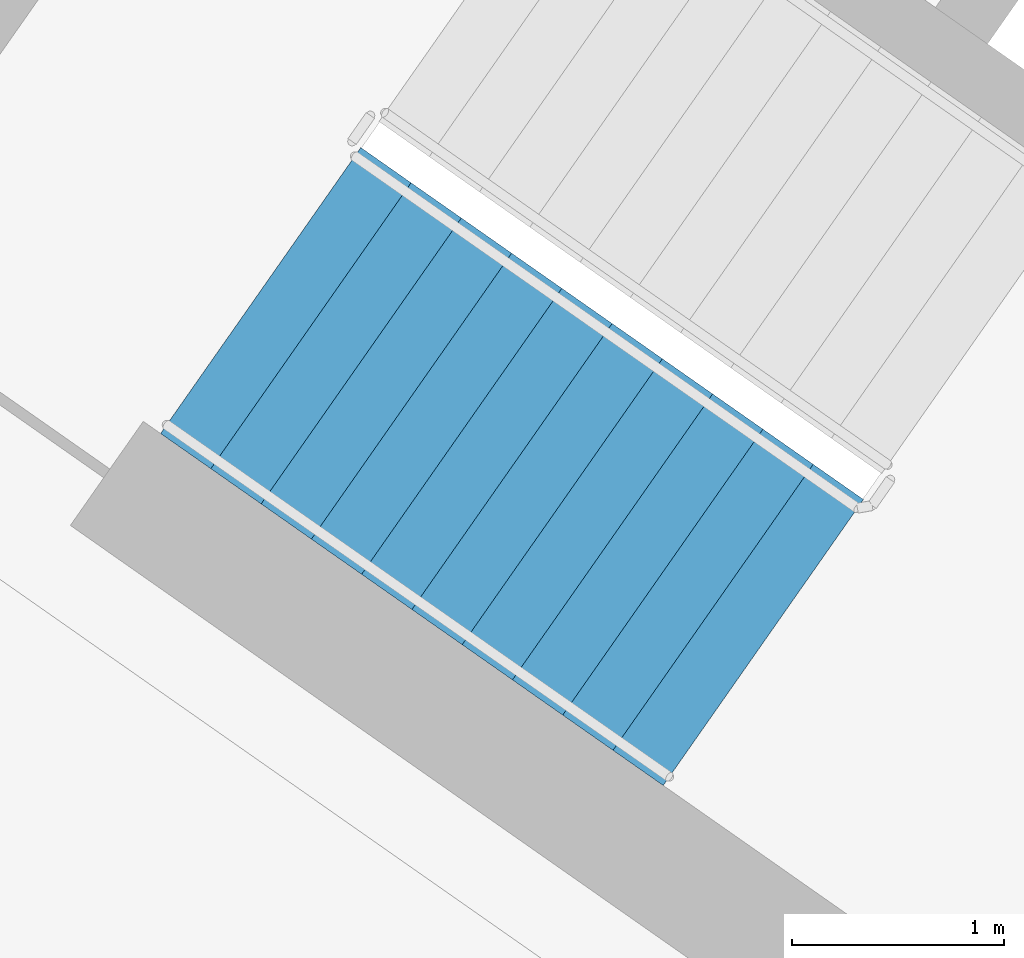
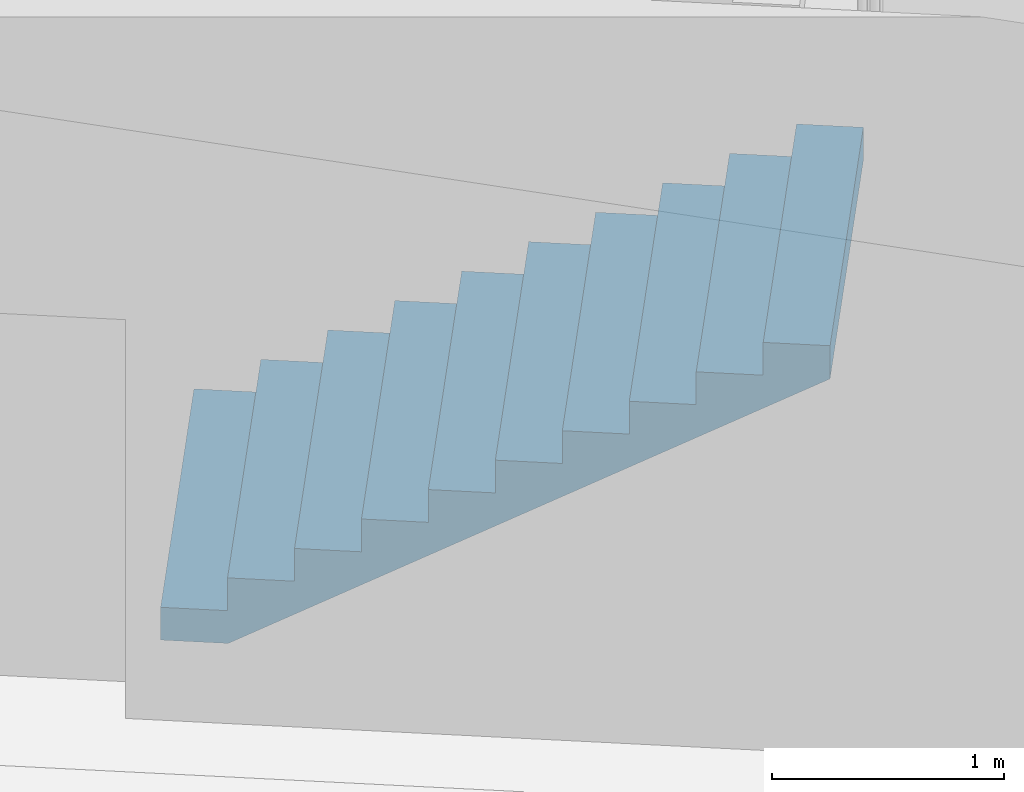
# One storey, part 9 of 26: 1 stair flight, 1 element without a shape of its own.
"""IFC4 building model written with IfcOpenShell, lengths in metres."""

import ifcopenshell
import ifcopenshell.guid

model = None  # the IFC model being written
_history = None  # IfcOwnerHistory: only IFC2X3 demands one
_inside = {}  # id of a spatial element -> (the spatial element, [elements in it])
_under = {}  # id of a project, library or spatial element -> (it, [spatial elements below it])
_declared = {}  # id of a project -> (the project, [libraries it declares])
_typed = {}  # id of a type object -> (the type object, [elements of that type])
_made_of = {}  # id of a material, layer set ... -> (it, [elements and type objects made of it])


def new_model(schema):
    """Start an empty IFC model of exactly this schema.

    Asked for "IFC4X3", IfcOpenShell would pick the latest addendum, in which some entities
    have other attributes; the version numbers below select the first issue.
    IFC2X3 requires an IfcOwnerHistory on every rooted entity: one is made here for all.
    """
    global model, _history
    if schema == "IFC4X3":
        model = ifcopenshell.file(schema_version=(4, 3, 0, 0))
    else:
        model = ifcopenshell.file(schema=schema)
    _inside.clear()
    _under.clear()
    _declared.clear()
    _typed.clear()
    _made_of.clear()
    _history = None
    if model.schema == "IFC2X3":
        org = make("IfcOrganization", Name="unknown")
        user = make(
            "IfcPersonAndOrganization",
            ThePerson=make("IfcPerson", FamilyName="unknown"),
            TheOrganization=org,
        )
        app = make(
            "IfcApplication",
            ApplicationDeveloper=org,
            Version="unknown",
            ApplicationFullName="unknown",
            ApplicationIdentifier="unknown",
        )
        _history = make(
            "IfcOwnerHistory",
            OwningUser=user,
            OwningApplication=app,
            ChangeAction="ADDED",
            CreationDate=0,
        )
    return model


def make(cls, **values):
    """One entity of the class cls with the attributes given. An attribute that is None is left unset."""
    return model.create_entity(
        cls, **{name: value for name, value in values.items() if value is not None}
    )


def rooted(cls, **values):
    """An entity with a GlobalId (a new one), such as an element, a storey or a relation."""
    return make(cls, GlobalId=ifcopenshell.guid.new(), OwnerHistory=_history, **values)


def si_unit(unit_type, name, prefix=None):
    """IfcSIUnit, for example si_unit("LENGTHUNIT", "METRE", prefix="MILLI")."""
    return make("IfcSIUnit", UnitType=unit_type, Prefix=prefix, Name=name)


def assignment(units):
    """IfcUnitAssignment: the units of a project."""
    return None if units is None else make("IfcUnitAssignment", Units=units)


def point(xyz):
    """IfcCartesianPoint."""
    return None if xyz is None else make("IfcCartesianPoint", Coordinates=xyz)


def direction(xyz):
    """IfcDirection."""
    return None if xyz is None else make("IfcDirection", DirectionRatios=xyz)


def frame(location, z_axis=None, x_axis=None):
    """IfcAxis2Placement3D, a coordinate frame: its origin and axes. An axis left out is left unset."""
    return make(
        "IfcAxis2Placement3D",
        Location=point(location),
        Axis=direction(z_axis),
        RefDirection=direction(x_axis),
    )


def origin():
    """The frame at (0, 0, 0) with its axes left unset."""
    return frame((0.0, 0.0, 0.0))


def place(relative_to, where):
    """IfcLocalPlacement: puts the frame where relative to a parent placement (None: the world)."""
    return make(
        "IfcLocalPlacement", PlacementRelTo=relative_to, RelativePlacement=where
    )


def context(
    kind, dimensions, precision=None, world=None, true_north=None, identifier=None
):
    """IfcGeometricRepresentationContext, for example the 3D "Model" context."""
    return make(
        "IfcGeometricRepresentationContext",
        ContextIdentifier=identifier,
        ContextType=kind,
        CoordinateSpaceDimension=dimensions,
        Precision=precision,
        WorldCoordinateSystem=world,
        TrueNorth=true_north,
    )


def subcontext(parent, identifier, kind, view, scale=None):
    """IfcGeometricRepresentationSubContext, for example "Body" below "Model"."""
    return make(
        "IfcGeometricRepresentationSubContext",
        ContextIdentifier=identifier,
        ContextType=kind,
        ParentContext=parent,
        TargetScale=scale,
        TargetView=view,
    )


def project(units=None, contexts=None):
    """IfcProject with its units and contexts."""
    return rooted(
        "IfcProject",
        Name="project",
        RepresentationContexts=contexts,
        UnitsInContext=assignment(units),
    )


def spatial(cls, under=None, at=None, **own):
    """A site, building, storey or space (cls), placed at a placement, below another one or the project."""
    s = rooted(cls, ObjectPlacement=at, **own)
    if under is not None:
        _under.setdefault(under.id(), (under, []))[1].append(s)
    return s


def faces_of(points, faces, orient=None, outer=None):
    """IfcFace entities. A face is a list of loops; a loop is a list of indices into points, from 0.

    orient and outer hold one flag for each loop. By default every Orientation is true, the
    first loop of a face is its IfcFaceOuterBound and the others are IfcFaceBound.
    """
    made = []
    for i, loops in enumerate(faces):
        bounds = []
        for j, loop in enumerate(loops):
            is_outer = j == 0 if outer is None else outer[i][j]
            bounds.append(
                make(
                    "IfcFaceOuterBound" if is_outer else "IfcFaceBound",
                    Bound=make("IfcPolyLoop", Polygon=[points[k] for k in loop]),
                    Orientation=True if orient is None else orient[i][j],
                )
            )
        made.append(make("IfcFace", Bounds=bounds))
    return made


def faceted_brep(points, faces, orient=None, outer=None, voids=None):
    """IfcFacetedBrep: a solid bounded by flat faces; with voids (closed shells), ...WithVoids."""
    shared = [point(p) for p in points]
    hull = make("IfcClosedShell", CfsFaces=faces_of(shared, faces, orient, outer))
    if voids is None:
        return make("IfcFacetedBrep", Outer=hull)
    return make(
        "IfcFacetedBrepWithVoids",
        Outer=hull,
        Voids=[
            make(cls, CfsFaces=faces_of(shared, fs, o, b)) for cls, fs, o, b in voids
        ],
    )


def shape(context_of_items, identifier, shape_type, items):
    """IfcShapeRepresentation: the items that make up one representation, for example the "Body"."""
    return make(
        "IfcShapeRepresentation",
        ContextOfItems=context_of_items,
        RepresentationIdentifier=identifier,
        RepresentationType=shape_type,
        Items=items,
    )


def material(Name=None, Category=None):
    """IfcMaterial."""
    return make("IfcMaterial", Name=Name, Category=Category)


def made_of(thing, what):
    """Note that an element or type object is made of a material, layer set ...; save() writes the relation."""
    if what is not None:
        _made_of.setdefault(what.id(), (what, []))[1].append(thing)
    return thing


def type_object(cls, material=None, **own):
    """A type object (cls), such as IfcWallType, which elements share."""
    return made_of(rooted(cls, **own), material)


def element(
    cls,
    number,
    at=None,
    inside=None,
    cuts=None,
    type_object=None,
    material=None,
    context=None,
    identifier="Body",
    shape_type=None,
    held_by="IfcProductDefinitionShape",
    body=None,
    shapes=None,
    **own,
):
    """One element of the class cls, such as IfcWall. Its Tag is "e" and its number.

    at: its placement. inside: the storey or other place that contains it. cuts: it is an
    opening in that element (IfcRelVoidsElement). A single representation is given by context,
    identifier, shape_type and body (its items); several are given by shapes. held_by: the class
    of the entity that holds the representations. save() writes the other relations.
    """
    e = rooted(cls, Tag="e%d" % number, ObjectPlacement=at, **own)
    if body is not None:
        shapes = [shape(context, identifier, shape_type, body)]
    if shapes is not None:
        e.Representation = make(held_by, Representations=shapes)
    if inside is not None:
        _inside.setdefault(inside.id(), (inside, []))[1].append(e)
    if cuts is not None:
        rooted(
            "IfcRelVoidsElement", RelatingBuildingElement=cuts, RelatedOpeningElement=e
        )
    if type_object is not None:
        _typed.setdefault(type_object.id(), (type_object, []))[1].append(e)
    return made_of(e, material)


def aggregate(whole, parts):
    """IfcRelAggregates: a whole, such as a stair, and the parts it consists of."""
    return rooted("IfcRelAggregates", RelatingObject=whole, RelatedObjects=parts)


def save(model, path):
    """Write the relations noted so far, then the file.

    IfcRelAggregates (storeys below a building ...), IfcRelContainedInSpatialStructure (elements
    in a storey), IfcRelDefinesByType, IfcRelAssociatesMaterial and IfcRelDeclares: one each for
    every whole, place, type object, material and project.
    """
    for whole, parts in _under.values():
        aggregate(whole, parts)
    for where, things in _inside.values():
        rooted(
            "IfcRelContainedInSpatialStructure",
            RelatedElements=things,
            RelatingStructure=where,
        )
    for kind, things in _typed.values():
        rooted("IfcRelDefinesByType", RelatedObjects=things, RelatingType=kind)
    for what, things in _made_of.values():
        rooted("IfcRelAssociatesMaterial", RelatedObjects=things, RelatingMaterial=what)
    for by, libraries in _declared.values():
        rooted("IfcRelDeclares", RelatingContext=by, RelatedDefinitions=libraries)
    model.write(path)


model = new_model("IFC4")

# Units and contexts
model_context = context("Model", 3, precision=1e-05, world=origin(), true_north=direction((0.0, 1.0)))
body_context = subcontext(model_context, "Body", "Model", "MODEL_VIEW")
ifc_project = project(units=[si_unit("LENGTHUNIT", "METRE"), si_unit("AREAUNIT", "SQUARE_METRE"), si_unit("VOLUMEUNIT", "CUBIC_METRE"), si_unit("PLANEANGLEUNIT", "RADIAN"), si_unit("MASSUNIT", "GRAM", prefix="KILO")], contexts=[model_context])

# Site, building, storey
site_placement = place(None, origin())
site = spatial("IfcSite", under=ifc_project, at=site_placement, CompositionType="ELEMENT")
building_placement = place(site_placement, origin())
building = spatial("IfcBuilding", under=site, at=building_placement, Name="Qamariyya Broadcast Tower", CompositionType="ELEMENT")
storey_placement = place(building_placement, frame((0.0, 0.0, 156.89990234375)))
storey = spatial("IfcBuildingStorey", under=building, at=storey_placement, Name="L36", CompositionType="ELEMENT", Elevation=156.89990234375)

# Stair, stair flight
ifc_material = material(Name="Concrete C50/60", Category="concrete")
stair_type = type_object("IfcStairType", Name="Exit stair 22 risers of 173 mm", PredefinedType="HALF_TURN_STAIR", material=ifc_material)
stair_placement = place(storey_placement, origin())
stair = element("IfcStair", 1, at=stair_placement, inside=storey, type_object=stair_type, Name="L36 Stair W1", PredefinedType="HALF_TURN_STAIR")
stair_flight_type = type_object("IfcStairFlightType", Name="Exit stair flight 11 risers of 173 mm", PredefinedType="STRAIGHT", material=ifc_material)
stair_flight_placement = place(storey_placement, frame((-47.06884765625, -56.982666015625, 0.0), z_axis=(0.0, 0.0, 1.0), x_axis=(0.819152044289, -0.573576436351, 0.0)))
stair_flight = element("IfcStairFlight", 2, at=stair_flight_placement, type_object=stair_flight_type, Name="ST-W1 flight 1", NumberOfRisers=11, NumberOfTreads=10, PredefinedType="STRAIGHT", RiserHeight=0.172727273, TreadLength=0.29, context=body_context, shape_type="Brep", body=[
    faceted_brep([(0.0, 0.824951171875, 0.0), (0.0, 0.824951171875, 0.172607421875), (0.2900390625, 0.824951171875, 0.172607421875), (0.2900390625, 0.824951171875, 0.345458984375), (0.580078125, 0.824951171875, 0.345458984375), (0.580078125, 0.824951171875, 0.51806640625), (0.8701171875, 0.824951171875, 0.51806640625), (0.8701171875, 0.824951171875, 0.69091796875), (1.159912109375, 0.824951171875, 0.69091796875), (1.159912109375, 0.824951171875, 0.863525390625), (1.449951171875, 0.824951171875, 0.863525390625), (1.449951171875, 0.824951171875, 1.036376953125), (1.739990234375, 0.824951171875, 1.036376953125), (1.739990234375, 0.824951171875, 1.208984375), (2.030029296875, 0.824951171875, 1.208984375), (2.030029296875, 0.824951171875, 1.3818359375), (2.320068359375, 0.824951171875, 1.3818359375), (2.320068359375, 0.824951171875, 1.554443359375), (2.610107421875, 0.824951171875, 1.554443359375), (2.610107421875, 0.824951171875, 1.727294921875), (2.89990234375, 0.824951171875, 1.727294921875), (2.89990234375, 0.824951171875, 1.552734375), (0.29296875, 0.824951171875, 0.0), (0.29296875, -0.824951171875, 0.0), (2.89990234375, -0.824951171875, 1.552734375), (2.89990234375, -0.824951171875, 1.727294921875), (2.610107421875, -0.824951171875, 1.727294921875), (2.610107421875, -0.824951171875, 1.554443359375), (2.320068359375, -0.824951171875, 1.554443359375), (2.320068359375, -0.824951171875, 1.3818359375), (2.030029296875, -0.824951171875, 1.3818359375), (2.030029296875, -0.824951171875, 1.208984375), (1.739990234375, -0.824951171875, 1.208984375), (1.739990234375, -0.824951171875, 1.036376953125), (1.449951171875, -0.824951171875, 1.036376953125), (1.449951171875, -0.824951171875, 0.863525390625), (1.159912109375, -0.824951171875, 0.863525390625), (1.159912109375, -0.824951171875, 0.69091796875), (0.8701171875, -0.824951171875, 0.69091796875), (0.8701171875, -0.824951171875, 0.51806640625), (0.580078125, -0.824951171875, 0.51806640625), (0.580078125, -0.824951171875, 0.345458984375), (0.2900390625, -0.824951171875, 0.345458984375), (0.2900390625, -0.824951171875, 0.172607421875), (0.0, -0.824951171875, 0.172607421875), (0.0, -0.824951171875, 0.0), (0.0, 0.10009765625, 0.0), (0.0, 0.086669921875, 0.0), (0.0, 0.0732421875, 0.0), (0.0, 0.06005859375, 0.0), (0.0, 0.046630859375, 0.0), (0.0, 0.033447265625, 0.0), (0.0, 0.02001953125, 0.0), (0.0, 0.006591796875, 0.0), (0.0, -0.006591796875, 0.0), (0.0, -0.02001953125, 0.0), (0.0, -0.033447265625, 0.0), (0.0, -0.046630859375, 0.0), (0.0, -0.06005859375, 0.0), (0.0, -0.0732421875, 0.0), (0.0, -0.086669921875, 0.0), (0.0, -0.10009765625, 0.0), (0.0, -0.10009765625, 0.172607421875), (0.0, -0.086669921875, 0.172607421875), (0.0, -0.0732421875, 0.172607421875), (0.0, -0.06005859375, 0.172607421875), (0.0, -0.046630859375, 0.172607421875), (0.0, -0.033447265625, 0.172607421875), (0.0, -0.02001953125, 0.172607421875), (0.0, -0.006591796875, 0.172607421875), (0.0, 0.006591796875, 0.172607421875), (0.0, 0.02001953125, 0.172607421875), (0.0, 0.033447265625, 0.172607421875), (0.0, 0.046630859375, 0.172607421875), (0.0, 0.06005859375, 0.172607421875), (0.0, 0.0732421875, 0.172607421875), (0.0, 0.086669921875, 0.172607421875), (0.0, 0.10009765625, 0.172607421875), (0.2900390625, -0.10009765625, 0.172607421875), (0.2900390625, -0.086669921875, 0.172607421875), (0.2900390625, -0.0732421875, 0.172607421875), (0.2900390625, -0.06005859375, 0.172607421875), (0.2900390625, -0.046630859375, 0.172607421875), (0.2900390625, -0.033447265625, 0.172607421875), (0.2900390625, -0.02001953125, 0.172607421875), (0.2900390625, -0.006591796875, 0.172607421875), (0.2900390625, 0.006591796875, 0.172607421875), (0.2900390625, 0.02001953125, 0.172607421875), (0.2900390625, 0.033447265625, 0.172607421875), (0.2900390625, 0.046630859375, 0.172607421875), (0.2900390625, 0.06005859375, 0.172607421875), (0.2900390625, 0.0732421875, 0.172607421875), (0.2900390625, 0.086669921875, 0.172607421875), (0.2900390625, 0.10009765625, 0.172607421875), (0.2900390625, -0.10009765625, 0.345458984375), (0.2900390625, -0.086669921875, 0.345458984375), (0.2900390625, -0.0732421875, 0.345458984375), (0.2900390625, -0.06005859375, 0.345458984375), (0.2900390625, -0.046630859375, 0.345458984375), (0.2900390625, -0.033447265625, 0.345458984375), (0.2900390625, -0.02001953125, 0.345458984375), (0.2900390625, -0.006591796875, 0.345458984375), (0.2900390625, 0.006591796875, 0.345458984375), (0.2900390625, 0.02001953125, 0.345458984375), (0.2900390625, 0.033447265625, 0.345458984375), (0.2900390625, 0.046630859375, 0.345458984375), (0.2900390625, 0.06005859375, 0.345458984375), (0.2900390625, 0.0732421875, 0.345458984375), (0.2900390625, 0.086669921875, 0.345458984375), (0.2900390625, 0.10009765625, 0.345458984375), (0.580078125, -0.10009765625, 0.345458984375), (0.580078125, -0.086669921875, 0.345458984375), (0.580078125, -0.0732421875, 0.345458984375), (0.580078125, -0.06005859375, 0.345458984375), (0.580078125, -0.046630859375, 0.345458984375), (0.580078125, -0.033447265625, 0.345458984375), (0.580078125, -0.02001953125, 0.345458984375), (0.580078125, -0.006591796875, 0.345458984375), (0.580078125, 0.006591796875, 0.345458984375), (0.580078125, 0.02001953125, 0.345458984375), (0.580078125, 0.033447265625, 0.345458984375), (0.580078125, 0.046630859375, 0.345458984375), (0.580078125, 0.06005859375, 0.345458984375), (0.580078125, 0.0732421875, 0.345458984375), (0.580078125, 0.086669921875, 0.345458984375), (0.580078125, 0.10009765625, 0.345458984375), (0.580078125, -0.10009765625, 0.51806640625), (0.580078125, -0.086669921875, 0.51806640625), (0.580078125, -0.0732421875, 0.51806640625), (0.580078125, -0.06005859375, 0.51806640625), (0.580078125, -0.046630859375, 0.51806640625), (0.580078125, -0.033447265625, 0.51806640625), (0.580078125, -0.02001953125, 0.51806640625), (0.580078125, -0.006591796875, 0.51806640625), (0.580078125, 0.006591796875, 0.51806640625), (0.580078125, 0.02001953125, 0.51806640625), (0.580078125, 0.033447265625, 0.51806640625), (0.580078125, 0.046630859375, 0.51806640625), (0.580078125, 0.06005859375, 0.51806640625), (0.580078125, 0.0732421875, 0.51806640625), (0.580078125, 0.086669921875, 0.51806640625), (0.580078125, 0.10009765625, 0.51806640625), (0.8701171875, -0.10009765625, 0.51806640625), (0.8701171875, -0.086669921875, 0.51806640625), (0.8701171875, -0.0732421875, 0.51806640625), (0.8701171875, -0.06005859375, 0.51806640625), (0.8701171875, -0.046630859375, 0.51806640625), (0.8701171875, -0.033447265625, 0.51806640625), (0.8701171875, -0.02001953125, 0.51806640625), (0.8701171875, -0.006591796875, 0.51806640625), (0.8701171875, 0.006591796875, 0.51806640625), (0.8701171875, 0.02001953125, 0.51806640625), (0.8701171875, 0.033447265625, 0.51806640625), (0.8701171875, 0.046630859375, 0.51806640625), (0.8701171875, 0.06005859375, 0.51806640625), (0.8701171875, 0.0732421875, 0.51806640625), (0.8701171875, 0.086669921875, 0.51806640625), (0.8701171875, 0.10009765625, 0.51806640625), (0.8701171875, -0.10009765625, 0.69091796875), (0.8701171875, -0.086669921875, 0.69091796875), (0.8701171875, -0.0732421875, 0.69091796875), (0.8701171875, -0.06005859375, 0.69091796875), (0.8701171875, -0.046630859375, 0.69091796875), (0.8701171875, -0.033447265625, 0.69091796875), (0.8701171875, -0.02001953125, 0.69091796875), (0.8701171875, -0.006591796875, 0.69091796875), (0.8701171875, 0.006591796875, 0.69091796875), (0.8701171875, 0.02001953125, 0.69091796875), (0.8701171875, 0.033447265625, 0.69091796875), (0.8701171875, 0.046630859375, 0.69091796875), (0.8701171875, 0.06005859375, 0.69091796875), (0.8701171875, 0.0732421875, 0.69091796875), (0.8701171875, 0.086669921875, 0.69091796875), (0.8701171875, 0.10009765625, 0.69091796875), (1.159912109375, -0.10009765625, 0.69091796875), (1.159912109375, -0.086669921875, 0.69091796875), (1.159912109375, -0.0732421875, 0.69091796875), (1.159912109375, -0.06005859375, 0.69091796875), (1.159912109375, -0.046630859375, 0.69091796875), (1.159912109375, -0.033447265625, 0.69091796875), (1.159912109375, -0.02001953125, 0.69091796875), (1.159912109375, -0.006591796875, 0.69091796875), (1.159912109375, 0.006591796875, 0.69091796875), (1.159912109375, 0.02001953125, 0.69091796875), (1.159912109375, 0.033447265625, 0.69091796875), (1.159912109375, 0.046630859375, 0.69091796875), (1.159912109375, 0.06005859375, 0.69091796875), (1.159912109375, 0.0732421875, 0.69091796875), (1.159912109375, 0.086669921875, 0.69091796875), (1.159912109375, 0.10009765625, 0.69091796875), (1.159912109375, -0.10009765625, 0.863525390625), (1.159912109375, -0.086669921875, 0.863525390625), (1.159912109375, -0.0732421875, 0.863525390625), (1.159912109375, -0.06005859375, 0.863525390625), (1.159912109375, -0.046630859375, 0.863525390625), (1.159912109375, -0.033447265625, 0.863525390625), (1.159912109375, -0.02001953125, 0.863525390625), (1.159912109375, -0.006591796875, 0.863525390625), (1.159912109375, 0.006591796875, 0.863525390625), (1.159912109375, 0.02001953125, 0.863525390625), (1.159912109375, 0.033447265625, 0.863525390625), (1.159912109375, 0.046630859375, 0.863525390625), (1.159912109375, 0.06005859375, 0.863525390625), (1.159912109375, 0.0732421875, 0.863525390625), (1.159912109375, 0.086669921875, 0.863525390625), (1.159912109375, 0.10009765625, 0.863525390625), (1.449951171875, -0.10009765625, 0.863525390625), (1.449951171875, -0.086669921875, 0.863525390625), (1.449951171875, -0.0732421875, 0.863525390625), (1.449951171875, -0.06005859375, 0.863525390625), (1.449951171875, -0.046630859375, 0.863525390625), (1.449951171875, -0.033447265625, 0.863525390625), (1.449951171875, -0.02001953125, 0.863525390625), (1.449951171875, -0.006591796875, 0.863525390625), (1.449951171875, 0.006591796875, 0.863525390625), (1.449951171875, 0.02001953125, 0.863525390625), (1.449951171875, 0.033447265625, 0.863525390625), (1.449951171875, 0.046630859375, 0.863525390625), (1.449951171875, 0.06005859375, 0.863525390625), (1.449951171875, 0.0732421875, 0.863525390625), (1.449951171875, 0.086669921875, 0.863525390625), (1.449951171875, 0.10009765625, 0.863525390625), (1.449951171875, -0.10009765625, 1.036376953125), (1.449951171875, -0.086669921875, 1.036376953125), (1.449951171875, -0.0732421875, 1.036376953125), (1.449951171875, -0.06005859375, 1.036376953125), (1.449951171875, -0.046630859375, 1.036376953125), (1.449951171875, -0.033447265625, 1.036376953125), (1.449951171875, -0.02001953125, 1.036376953125), (1.449951171875, -0.006591796875, 1.036376953125), (1.449951171875, 0.006591796875, 1.036376953125), (1.449951171875, 0.02001953125, 1.036376953125), (1.449951171875, 0.033447265625, 1.036376953125), (1.449951171875, 0.046630859375, 1.036376953125), (1.449951171875, 0.06005859375, 1.036376953125), (1.449951171875, 0.0732421875, 1.036376953125), (1.449951171875, 0.086669921875, 1.036376953125), (1.449951171875, 0.10009765625, 1.036376953125), (1.739990234375, -0.10009765625, 1.036376953125), (1.739990234375, -0.086669921875, 1.036376953125), (1.739990234375, -0.0732421875, 1.036376953125), (1.739990234375, -0.06005859375, 1.036376953125), (1.739990234375, -0.046630859375, 1.036376953125), (1.739990234375, -0.033447265625, 1.036376953125), (1.739990234375, -0.02001953125, 1.036376953125), (1.739990234375, -0.006591796875, 1.036376953125), (1.739990234375, 0.006591796875, 1.036376953125), (1.739990234375, 0.02001953125, 1.036376953125), (1.739990234375, 0.033447265625, 1.036376953125), (1.739990234375, 0.046630859375, 1.036376953125), (1.739990234375, 0.06005859375, 1.036376953125), (1.739990234375, 0.0732421875, 1.036376953125), (1.739990234375, 0.086669921875, 1.036376953125), (1.739990234375, 0.10009765625, 1.036376953125), (1.739990234375, -0.10009765625, 1.208984375), (1.739990234375, -0.086669921875, 1.208984375), (1.739990234375, -0.0732421875, 1.208984375), (1.739990234375, -0.06005859375, 1.208984375), (1.739990234375, -0.046630859375, 1.208984375), (1.739990234375, -0.033447265625, 1.208984375), (1.739990234375, -0.02001953125, 1.208984375), (1.739990234375, -0.006591796875, 1.208984375), (1.739990234375, 0.006591796875, 1.208984375), (1.739990234375, 0.02001953125, 1.208984375), (1.739990234375, 0.033447265625, 1.208984375), (1.739990234375, 0.046630859375, 1.208984375), (1.739990234375, 0.06005859375, 1.208984375), (1.739990234375, 0.0732421875, 1.208984375), (1.739990234375, 0.086669921875, 1.208984375), (1.739990234375, 0.10009765625, 1.208984375), (2.030029296875, -0.10009765625, 1.208984375), (2.030029296875, -0.086669921875, 1.208984375), (2.030029296875, -0.0732421875, 1.208984375), (2.030029296875, -0.06005859375, 1.208984375), (2.030029296875, -0.046630859375, 1.208984375), (2.030029296875, -0.033447265625, 1.208984375), (2.030029296875, -0.02001953125, 1.208984375), (2.030029296875, -0.006591796875, 1.208984375), (2.030029296875, 0.006591796875, 1.208984375), (2.030029296875, 0.02001953125, 1.208984375), (2.030029296875, 0.033447265625, 1.208984375), (2.030029296875, 0.046630859375, 1.208984375), (2.030029296875, 0.06005859375, 1.208984375), (2.030029296875, 0.0732421875, 1.208984375), (2.030029296875, 0.086669921875, 1.208984375), (2.030029296875, 0.10009765625, 1.208984375), (2.030029296875, -0.10009765625, 1.3818359375), (2.030029296875, -0.086669921875, 1.3818359375), (2.030029296875, -0.0732421875, 1.3818359375), (2.030029296875, -0.06005859375, 1.3818359375), (2.030029296875, -0.046630859375, 1.3818359375), (2.030029296875, -0.033447265625, 1.3818359375), (2.030029296875, -0.02001953125, 1.3818359375), (2.030029296875, -0.006591796875, 1.3818359375), (2.030029296875, 0.006591796875, 1.3818359375), (2.030029296875, 0.02001953125, 1.3818359375), (2.030029296875, 0.033447265625, 1.3818359375), (2.030029296875, 0.046630859375, 1.3818359375), (2.030029296875, 0.06005859375, 1.3818359375), (2.030029296875, 0.0732421875, 1.3818359375), (2.030029296875, 0.086669921875, 1.3818359375), (2.030029296875, 0.10009765625, 1.3818359375), (2.320068359375, -0.10009765625, 1.3818359375), (2.320068359375, -0.086669921875, 1.3818359375), (2.320068359375, -0.0732421875, 1.3818359375), (2.320068359375, -0.06005859375, 1.3818359375), (2.320068359375, -0.046630859375, 1.3818359375), (2.320068359375, -0.033447265625, 1.3818359375), (2.320068359375, -0.02001953125, 1.3818359375), (2.320068359375, -0.006591796875, 1.3818359375), (2.320068359375, 0.006591796875, 1.3818359375), (2.320068359375, 0.02001953125, 1.3818359375), (2.320068359375, 0.033447265625, 1.3818359375), (2.320068359375, 0.046630859375, 1.3818359375), (2.320068359375, 0.06005859375, 1.3818359375), (2.320068359375, 0.0732421875, 1.3818359375), (2.320068359375, 0.086669921875, 1.3818359375), (2.320068359375, 0.10009765625, 1.3818359375), (2.320068359375, -0.10009765625, 1.554443359375), (2.320068359375, -0.086669921875, 1.554443359375), (2.320068359375, -0.0732421875, 1.554443359375), (2.320068359375, -0.06005859375, 1.554443359375), (2.320068359375, -0.046630859375, 1.554443359375), (2.320068359375, -0.033447265625, 1.554443359375), (2.320068359375, -0.02001953125, 1.554443359375), (2.320068359375, -0.006591796875, 1.554443359375), (2.320068359375, 0.006591796875, 1.554443359375), (2.320068359375, 0.02001953125, 1.554443359375), (2.320068359375, 0.033447265625, 1.554443359375), (2.320068359375, 0.046630859375, 1.554443359375), (2.320068359375, 0.06005859375, 1.554443359375), (2.320068359375, 0.0732421875, 1.554443359375), (2.320068359375, 0.086669921875, 1.554443359375), (2.320068359375, 0.10009765625, 1.554443359375), (2.610107421875, -0.10009765625, 1.554443359375), (2.610107421875, -0.086669921875, 1.554443359375), (2.610107421875, -0.0732421875, 1.554443359375), (2.610107421875, -0.06005859375, 1.554443359375), (2.610107421875, -0.046630859375, 1.554443359375), (2.610107421875, -0.033447265625, 1.554443359375), (2.610107421875, -0.02001953125, 1.554443359375), (2.610107421875, -0.006591796875, 1.554443359375), (2.610107421875, 0.006591796875, 1.554443359375), (2.610107421875, 0.02001953125, 1.554443359375), (2.610107421875, 0.033447265625, 1.554443359375), (2.610107421875, 0.046630859375, 1.554443359375), (2.610107421875, 0.06005859375, 1.554443359375), (2.610107421875, 0.0732421875, 1.554443359375), (2.610107421875, 0.086669921875, 1.554443359375), (2.610107421875, 0.10009765625, 1.554443359375), (2.610107421875, -0.10009765625, 1.727294921875), (2.610107421875, -0.086669921875, 1.727294921875), (2.610107421875, -0.0732421875, 1.727294921875), (2.610107421875, -0.06005859375, 1.727294921875), (2.610107421875, -0.046630859375, 1.727294921875), (2.610107421875, -0.033447265625, 1.727294921875), (2.610107421875, -0.02001953125, 1.727294921875), (2.610107421875, -0.006591796875, 1.727294921875), (2.610107421875, 0.006591796875, 1.727294921875), (2.610107421875, 0.02001953125, 1.727294921875), (2.610107421875, 0.033447265625, 1.727294921875), (2.610107421875, 0.046630859375, 1.727294921875), (2.610107421875, 0.06005859375, 1.727294921875), (2.610107421875, 0.0732421875, 1.727294921875), (2.610107421875, 0.086669921875, 1.727294921875), (2.610107421875, 0.10009765625, 1.727294921875), (2.89990234375, -0.10009765625, 1.727294921875), (2.89990234375, -0.086669921875, 1.727294921875), (2.89990234375, -0.0732421875, 1.727294921875), (2.89990234375, -0.06005859375, 1.727294921875), (2.89990234375, -0.046630859375, 1.727294921875), (2.89990234375, -0.033447265625, 1.727294921875), (2.89990234375, -0.02001953125, 1.727294921875), (2.89990234375, -0.006591796875, 1.727294921875), (2.89990234375, 0.006591796875, 1.727294921875), (2.89990234375, 0.02001953125, 1.727294921875), (2.89990234375, 0.033447265625, 1.727294921875), (2.89990234375, 0.046630859375, 1.727294921875), (2.89990234375, 0.06005859375, 1.727294921875), (2.89990234375, 0.0732421875, 1.727294921875), (2.89990234375, 0.086669921875, 1.727294921875), (2.89990234375, 0.10009765625, 1.727294921875), (2.89990234375, -0.10009765625, 1.552734375), (2.89990234375, -0.086669921875, 1.552734375), (2.89990234375, -0.0732421875, 1.552734375), (2.89990234375, -0.06005859375, 1.552734375), (2.89990234375, -0.046630859375, 1.552734375), (2.89990234375, -0.033447265625, 1.552734375), (2.89990234375, -0.02001953125, 1.552734375), (2.89990234375, -0.006591796875, 1.552734375), (2.89990234375, 0.006591796875, 1.552734375), (2.89990234375, 0.02001953125, 1.552734375), (2.89990234375, 0.033447265625, 1.552734375), (2.89990234375, 0.046630859375, 1.552734375), (2.89990234375, 0.06005859375, 1.552734375), (2.89990234375, 0.0732421875, 1.552734375), (2.89990234375, 0.086669921875, 1.552734375), (2.89990234375, 0.10009765625, 1.552734375), (0.29296875, -0.10009765625, 0.0), (0.29296875, -0.086669921875, 0.0), (0.29296875, -0.0732421875, 0.0), (0.29296875, -0.06005859375, 0.0), (0.29296875, -0.046630859375, 0.0), (0.29296875, -0.033447265625, 0.0), (0.29296875, -0.02001953125, 0.0), (0.29296875, -0.006591796875, 0.0), (0.29296875, 0.006591796875, 0.0), (0.29296875, 0.02001953125, 0.0), (0.29296875, 0.033447265625, 0.0), (0.29296875, 0.046630859375, 0.0), (0.29296875, 0.06005859375, 0.0), (0.29296875, 0.0732421875, 0.0), (0.29296875, 0.086669921875, 0.0), (0.29296875, 0.10009765625, 0.0)], [[[0, 1, 2, 3, 4, 5, 6, 7, 8, 9, 10, 11, 12, 13, 14, 15, 16, 17, 18, 19, 20, 21, 22]], [[23, 24, 25, 26, 27, 28, 29, 30, 31, 32, 33, 34, 35, 36, 37, 38, 39, 40, 41, 42, 43, 44, 45]], [[0, 46, 47, 48, 49, 50, 51, 52, 53, 54, 55, 56, 57, 58, 59, 60, 61, 45, 44, 62, 63, 64, 65, 66, 67, 68, 69, 70, 71, 72, 73, 74, 75, 76, 77, 1]], [[1, 77, 76, 75, 74, 73, 72, 71, 70, 69, 68, 67, 66, 65, 64, 63, 62, 44, 43, 78, 79, 80, 81, 82, 83, 84, 85, 86, 87, 88, 89, 90, 91, 92, 93, 2]], [[2, 93, 92, 91, 90, 89, 88, 87, 86, 85, 84, 83, 82, 81, 80, 79, 78, 43, 42, 94, 95, 96, 97, 98, 99, 100, 101, 102, 103, 104, 105, 106, 107, 108, 109, 3]], [[3, 109, 108, 107, 106, 105, 104, 103, 102, 101, 100, 99, 98, 97, 96, 95, 94, 42, 41, 110, 111, 112, 113, 114, 115, 116, 117, 118, 119, 120, 121, 122, 123, 124, 125, 4]], [[4, 125, 124, 123, 122, 121, 120, 119, 118, 117, 116, 115, 114, 113, 112, 111, 110, 41, 40, 126, 127, 128, 129, 130, 131, 132, 133, 134, 135, 136, 137, 138, 139, 140, 141, 5]], [[5, 141, 140, 139, 138, 137, 136, 135, 134, 133, 132, 131, 130, 129, 128, 127, 126, 40, 39, 142, 143, 144, 145, 146, 147, 148, 149, 150, 151, 152, 153, 154, 155, 156, 157, 6]], [[6, 157, 156, 155, 154, 153, 152, 151, 150, 149, 148, 147, 146, 145, 144, 143, 142, 39, 38, 158, 159, 160, 161, 162, 163, 164, 165, 166, 167, 168, 169, 170, 171, 172, 173, 7]], [[7, 173, 172, 171, 170, 169, 168, 167, 166, 165, 164, 163, 162, 161, 160, 159, 158, 38, 37, 174, 175, 176, 177, 178, 179, 180, 181, 182, 183, 184, 185, 186, 187, 188, 189, 8]], [[8, 189, 188, 187, 186, 185, 184, 183, 182, 181, 180, 179, 178, 177, 176, 175, 174, 37, 36, 190, 191, 192, 193, 194, 195, 196, 197, 198, 199, 200, 201, 202, 203, 204, 205, 9]], [[9, 205, 204, 203, 202, 201, 200, 199, 198, 197, 196, 195, 194, 193, 192, 191, 190, 36, 35, 206, 207, 208, 209, 210, 211, 212, 213, 214, 215, 216, 217, 218, 219, 220, 221, 10]], [[10, 221, 220, 219, 218, 217, 216, 215, 214, 213, 212, 211, 210, 209, 208, 207, 206, 35, 34, 222, 223, 224, 225, 226, 227, 228, 229, 230, 231, 232, 233, 234, 235, 236, 237, 11]], [[11, 237, 236, 235, 234, 233, 232, 231, 230, 229, 228, 227, 226, 225, 224, 223, 222, 34, 33, 238, 239, 240, 241, 242, 243, 244, 245, 246, 247, 248, 249, 250, 251, 252, 253, 12]], [[12, 253, 252, 251, 250, 249, 248, 247, 246, 245, 244, 243, 242, 241, 240, 239, 238, 33, 32, 254, 255, 256, 257, 258, 259, 260, 261, 262, 263, 264, 265, 266, 267, 268, 269, 13]], [[13, 269, 268, 267, 266, 265, 264, 263, 262, 261, 260, 259, 258, 257, 256, 255, 254, 32, 31, 270, 271, 272, 273, 274, 275, 276, 277, 278, 279, 280, 281, 282, 283, 284, 285, 14]], [[14, 285, 284, 283, 282, 281, 280, 279, 278, 277, 276, 275, 274, 273, 272, 271, 270, 31, 30, 286, 287, 288, 289, 290, 291, 292, 293, 294, 295, 296, 297, 298, 299, 300, 301, 15]], [[15, 301, 300, 299, 298, 297, 296, 295, 294, 293, 292, 291, 290, 289, 288, 287, 286, 30, 29, 302, 303, 304, 305, 306, 307, 308, 309, 310, 311, 312, 313, 314, 315, 316, 317, 16]], [[16, 317, 316, 315, 314, 313, 312, 311, 310, 309, 308, 307, 306, 305, 304, 303, 302, 29, 28, 318, 319, 320, 321, 322, 323, 324, 325, 326, 327, 328, 329, 330, 331, 332, 333, 17]], [[17, 333, 332, 331, 330, 329, 328, 327, 326, 325, 324, 323, 322, 321, 320, 319, 318, 28, 27, 334, 335, 336, 337, 338, 339, 340, 341, 342, 343, 344, 345, 346, 347, 348, 349, 18]], [[18, 349, 348, 347, 346, 345, 344, 343, 342, 341, 340, 339, 338, 337, 336, 335, 334, 27, 26, 350, 351, 352, 353, 354, 355, 356, 357, 358, 359, 360, 361, 362, 363, 364, 365, 19]], [[19, 365, 364, 363, 362, 361, 360, 359, 358, 357, 356, 355, 354, 353, 352, 351, 350, 26, 25, 366, 367, 368, 369, 370, 371, 372, 373, 374, 375, 376, 377, 378, 379, 380, 381, 20]], [[20, 381, 380, 379, 378, 377, 376, 375, 374, 373, 372, 371, 370, 369, 368, 367, 366, 25, 24, 382, 383, 384, 385, 386, 387, 388, 389, 390, 391, 392, 393, 394, 395, 396, 397, 21]], [[21, 397, 396, 395, 394, 393, 392, 391, 390, 389, 388, 387, 386, 385, 384, 383, 382, 24, 23, 398, 399, 400, 401, 402, 403, 404, 405, 406, 407, 408, 409, 410, 411, 412, 413, 22]], [[22, 413, 412, 411, 410, 409, 408, 407, 406, 405, 404, 403, 402, 401, 400, 399, 398, 23, 45, 61, 60, 59, 58, 57, 56, 55, 54, 53, 52, 51, 50, 49, 48, 47, 46, 0]]]),
])
aggregate(stair, [stair_flight])

save(model, "model.ifc")
